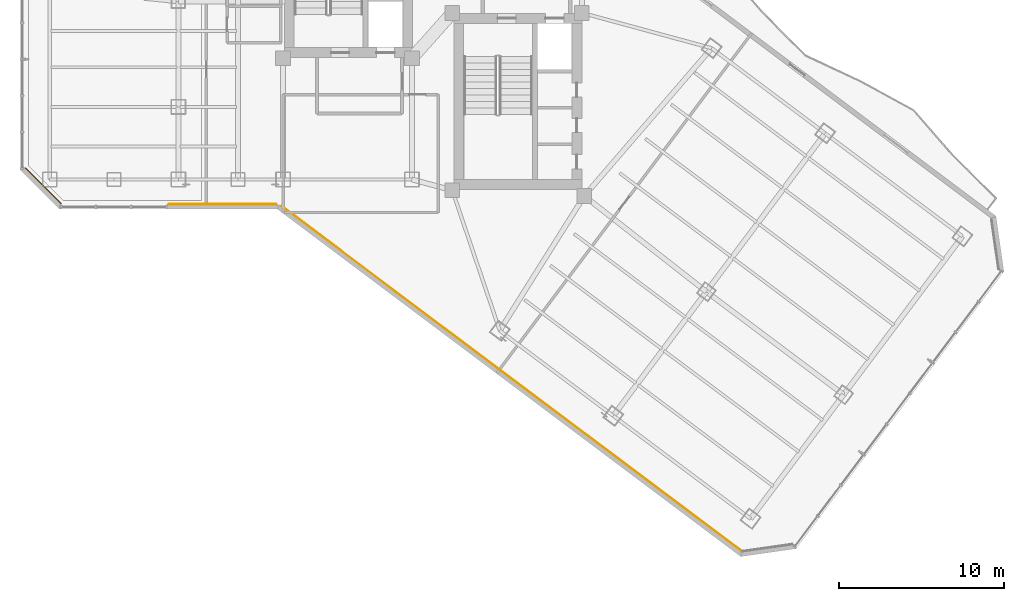
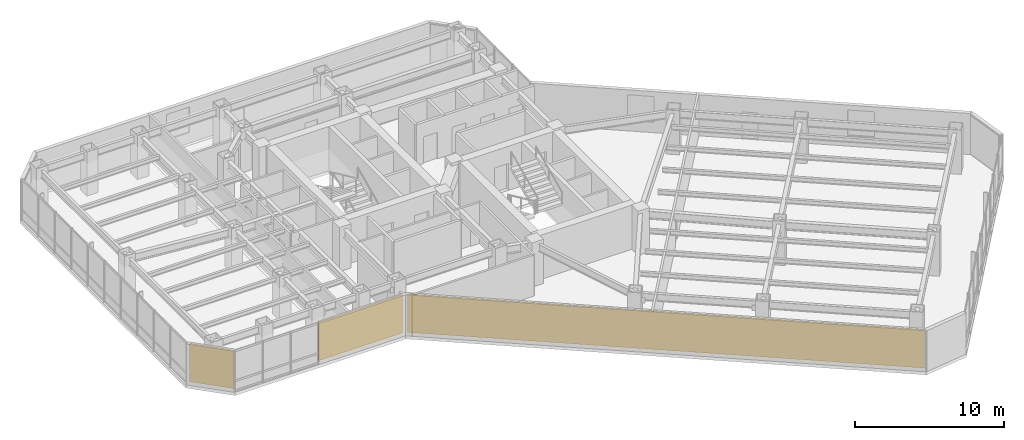
# One storey, part 25 of 29: 3 coverings.
"""IFC4 building model written with IfcOpenShell, lengths in metres."""

from ifc_helpers import new_model, si_unit, direction, frame, origin, origin_2d, place, context, subcontext, project, spatial, rectangle, extrude, material, layer, layer_set, type_object, element, save


model = new_model("IFC4")

# Units and contexts
model_context = context("Model", 3, precision=1e-05, world=origin(), true_north=direction((0.0, 1.0)))
body_context = subcontext(model_context, "Body", "Model", "MODEL_VIEW")
ifc_project = project(units=[si_unit("LENGTHUNIT", "METRE"), si_unit("AREAUNIT", "SQUARE_METRE"), si_unit("VOLUMEUNIT", "CUBIC_METRE"), si_unit("PLANEANGLEUNIT", "RADIAN"), si_unit("MASSUNIT", "GRAM", prefix="KILO")], contexts=[model_context])

# Site, building, storey
site_placement = place(None, origin())
site = spatial("IfcSite", under=ifc_project, at=site_placement, CompositionType="ELEMENT")
building_placement = place(site_placement, origin())
building = spatial("IfcBuilding", under=site, at=building_placement, Name="Hatsunagi Terrace Concourse", CompositionType="ELEMENT")
storey_placement = place(building_placement, frame((0.0, 0.0, 115.64990234375)))
storey = spatial("IfcBuildingStorey", under=building, at=storey_placement, Name="L30", CompositionType="ELEMENT", Elevation=115.64990234375)

# Coverings
ifc_material = material(Name="Unglazed Warm Terracotta Rainscreen Tile", Category="masonry")
ifc_layer = layer(ifc_material, 0.044921875)
ifc_layer_set = layer_set([ifc_layer], Name="TerracottaRainscreenCladding_45")
covering_type = type_object("IfcCoveringType", Name="TerracottaRainscreenCladding_45", PredefinedType="CLADDING", material=ifc_layer_set)
covering_1_placement = place(storey_placement, frame((39.3798828125, 13.14306640625, 0.10009765625), z_axis=(0.0, 0.0, 1.0), x_axis=(-0.800003116929, 0.599995844072, 0.0)))
element("IfcCovering", 1, at=covering_1_placement, inside=storey, type_object=covering_type, Name="Terracotta Rainscreen Cladding L30-05", PredefinedType="CLADDING", context=body_context, shape_type="SweptSolid", body=[
    extrude(rectangle(XDim=34.84912109375, YDim=0.044921875, at=origin_2d()), origin(), (0.0, 0.0, 1.0), 3.14990234375),
])
covering_2_placement = place(storey_placement, frame((21.873046875, 23.701904296875, 0.10009765625), z_axis=(0.0, 0.0, 1.0), x_axis=(-1.0, 0.0, 0.0)))
element("IfcCovering", 2, at=covering_2_placement, inside=storey, type_object=covering_type, Name="Terracotta Rainscreen Cladding L30-06", PredefinedType="CLADDING", context=body_context, shape_type="SweptSolid", body=[
    extrude(rectangle(XDim=6.507080078125, YDim=0.044921875, at=origin_2d()), origin(), (0.0, 0.0, 1.0), 3.14990234375),
])
covering_3_placement = place(storey_placement, frame((11.013916015625, 24.81396484375, 0.10009765625), z_axis=(0.0, 0.0, 1.0), x_axis=(-0.707106781187, 0.707106781187, 0.0)))
element("IfcCovering", 3, at=covering_3_placement, inside=storey, type_object=covering_type, Name="Terracotta Rainscreen Cladding L30-08", PredefinedType="CLADDING", context=body_context, shape_type="SweptSolid", body=[
    extrude(rectangle(XDim=3.0380859375, YDim=0.044921875, at=origin_2d()), origin(), (0.0, 0.0, 1.0), 3.14990234375),
])

save(model, "model.ifc")
